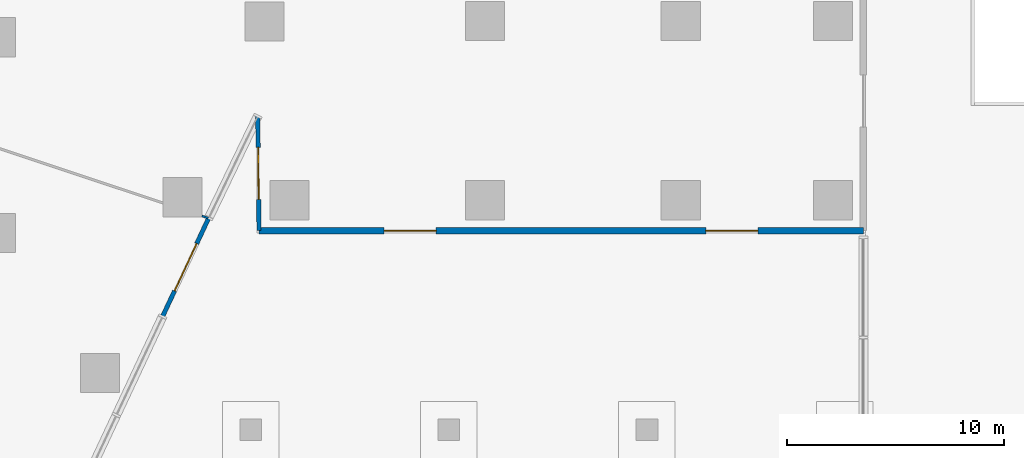
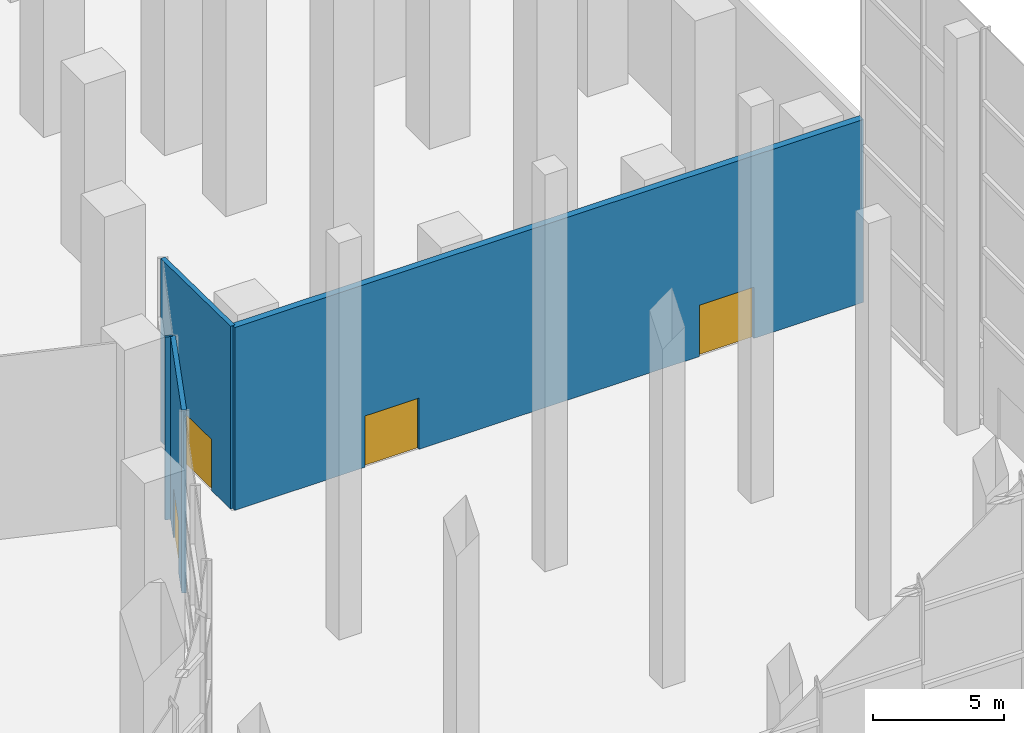
# One storey, part 31 of 40: 4 doors, 4 walls, 4 openings.
"""IFC4 building model written with IfcOpenShell, lengths in metres."""

from ifc_helpers import new_model, si_unit, direction, frame, frame_2d, origin, place, context, subcontext, project, spatial, rectangle, extrude, material, layer, layer_set, type_object, element, fill, save


model = new_model("IFC4")

# Units and contexts
model_context = context("Model", 3, precision=1e-05, world=origin(), true_north=direction((0.0, 1.0)))
body_context = subcontext(model_context, "Body", "Model", "MODEL_VIEW")
ifc_project = project(units=[si_unit("LENGTHUNIT", "METRE"), si_unit("AREAUNIT", "SQUARE_METRE"), si_unit("VOLUMEUNIT", "CUBIC_METRE"), si_unit("PLANEANGLEUNIT", "RADIAN"), si_unit("MASSUNIT", "GRAM", prefix="KILO")], contexts=[model_context])

# Site, building, storey
site_placement = place(None, origin())
site = spatial("IfcSite", under=ifc_project, at=site_placement, CompositionType="ELEMENT")
building_placement = place(site_placement, origin())
building = spatial("IfcBuilding", under=site, at=building_placement, Name="Dongbaek Canopy Tower", CompositionType="ELEMENT")
storey_placement = place(building_placement, origin())
storey = spatial("IfcBuildingStorey", under=building, at=storey_placement, Name="L00", CompositionType="ELEMENT", Elevation=0.0)

# Wall, opening, door
ifc_material_1 = material(Name="Aluminium window wall", Category="aluminium")
ifc_layer_1 = layer(ifc_material_1, 0.199951171875)
ifc_layer_set_1 = layer_set([ifc_layer_1], Name="Entrance wall 200")
wall_type_1 = type_object("IfcWallType", Name="Entrance wall 200", PredefinedType="SOLIDWALL", material=ifc_layer_set_1)
wall_1_placement = place(storey_placement, frame((27.785888671875, -17.316162109375, 0.0), z_axis=(0.0, 0.0, 1.0), x_axis=(-0.424089032009, -0.905620501606, 0.0)))
wall_1 = element("IfcWall", 1, at=wall_1_placement, inside=storey, type_object=wall_type_1, Name="Entrance wall L00 F0 3", PredefinedType="SOLIDWALL", context=body_context, shape_type="SweptSolid", body=[
    extrude(rectangle(XDim=5.006591796875, YDim=0.199951171875, at=frame_2d((2.50341796875, 0.0))), origin(), (0.0, 0.0, 1.0), 8.550048828125),
])
opening_1_placement = place(wall_1_placement, frame((1.30322265625, 0.0, 0.0)))
opening_1 = element("IfcOpeningElement", 2, at=opening_1_placement, cuts=wall_1, Name="Opening L00-E01", PredefinedType="OPENING", context=body_context, shape_type="SweptSolid", body=[
    extrude(rectangle(XDim=2.39990234375, YDim=2.39990234375, at=frame_2d((1.199951171875, 1.199951171875))), frame((0.0, 0.10986328125, 0.0), z_axis=(0.0, -1.0, 0.0), x_axis=(1.0, 0.0, 0.0)), (0.0, 0.0, 1.0), 0.219970703125),
])
ifc_material_2 = material(Name="Clear glazing in aluminium frame", Category="aluminium")
door_type = type_object("IfcDoorType", Name="Entrance door ED1 2400 x 2400", OperationType="DOUBLE_DOOR_SINGLE_SWING", PredefinedType="DOOR", material=ifc_material_2)
door_1_placement = place(opening_1_placement, origin())
door_1 = element("IfcDoor", 3, at=door_1_placement, inside=storey, type_object=door_type, Name="Exterior door L00-E01", OperationType="SINGLE_SWING_LEFT", OverallHeight=2.39990234375, OverallWidth=2.39990234375, PredefinedType="DOOR", context=body_context, shape_type="SweptSolid", body=[
    extrude(rectangle(XDim=2.39990234375, YDim=2.39990234375, at=frame_2d((1.199951171875, 1.199951171875))), frame((0.0, 0.02490234375, 0.0), z_axis=(0.0, -1.0, 0.0), x_axis=(1.0, 0.0, 0.0)), (0.0, 0.0, 1.0), 0.050048828125),
])
fill(opening_1, door_1)

wall_2_placement = place(storey_placement, frame((30.10009765625, -17.89990234375, 0.0), z_axis=(0.0, 0.0, 1.0), x_axis=(-0.010746090611, 0.999942259101, 0.0)))
wall_2 = element("IfcWall", 4, at=wall_2_placement, inside=storey, type_object=wall_type_1, Name="Entrance wall L00 F1 1", PredefinedType="SOLIDWALL", context=body_context, shape_type="SweptSolid", body=[
    extrude(rectangle(XDim=5.270751953125, YDim=0.199951171875, at=frame_2d((2.63525390625, 0.0))), origin(), (0.0, 0.0, 1.0), 8.550048828125),
])
opening_2_placement = place(wall_2_placement, frame((1.435546875, 0.0, 0.0)))
opening_2 = element("IfcOpeningElement", 5, at=opening_2_placement, cuts=wall_2, Name="Opening L00-E02", PredefinedType="OPENING", context=body_context, shape_type="SweptSolid", body=[
    extrude(rectangle(XDim=2.39990234375, YDim=2.39990234375, at=frame_2d((1.199951171875, 1.199951171875))), frame((0.0, 0.10986328125, 0.0), z_axis=(0.0, -1.0, 0.0), x_axis=(1.0, 0.0, 0.0)), (0.0, 0.0, 1.0), 0.219970703125),
])
door_2_placement = place(opening_2_placement, origin())
door_2 = element("IfcDoor", 6, at=door_2_placement, inside=storey, type_object=door_type, Name="Exterior door L00-E02", OperationType="SINGLE_SWING_LEFT", OverallHeight=2.39990234375, OverallWidth=2.39990234375, PredefinedType="DOOR", context=body_context, shape_type="SweptSolid", body=[
    extrude(rectangle(XDim=2.39990234375, YDim=2.39990234375, at=frame_2d((1.199951171875, 1.199951171875))), frame((0.0, 0.02490234375, 0.0), z_axis=(0.0, -1.0, 0.0), x_axis=(1.0, 0.0, 0.0)), (0.0, 0.0, 1.0), 0.050048828125),
])
fill(opening_2, door_2)

# Wall, openings, doors
ifc_material_3 = material(Name="Precast concrete C40/50 with pale metal cladding", Category="concrete")
ifc_layer_2 = layer(ifc_material_3, 0.300048828125)
ifc_layer_set_2 = layer_set([ifc_layer_2], Name="Hall wall 300")
wall_type_2 = type_object("IfcWallType", Name="Hall wall 300", PredefinedType="SOLIDWALL", material=ifc_layer_set_2)
wall_3_placement = place(storey_placement, frame((57.89990234375, -17.89990234375, 0.0), z_axis=(0.0, 0.0, 1.0), x_axis=(-1.0, 0.0, 0.0)))
wall_3 = element("IfcWall", 7, at=wall_3_placement, inside=storey, type_object=wall_type_2, Name="Hall wall L00 F2", PredefinedType="SOLIDWALL", context=body_context, shape_type="SweptSolid", body=[
    extrude(rectangle(XDim=27.7998046875, YDim=0.300048828125, at=frame_2d((13.89990234375, 0.0))), origin(), (0.0, 0.0, 1.0), 8.550048828125),
])
opening_3_placement = place(wall_3_placement, frame((19.64990234375, 0.0, 0.0)))
opening_3 = element("IfcOpeningElement", 8, at=opening_3_placement, cuts=wall_3, Name="Opening L00-X01", PredefinedType="OPENING", context=body_context, shape_type="SweptSolid", body=[
    extrude(rectangle(XDim=2.39990234375, YDim=2.39990234375, at=frame_2d((1.199951171875, 1.199951171875))), frame((0.0, 0.159912109375, 0.0), z_axis=(0.0, -1.0, 0.0), x_axis=(1.0, 0.0, 0.0)), (0.0, 0.0, 1.0), 0.320068359375),
])
opening_4_placement = place(wall_3_placement, frame((4.85009765625, 0.0, 0.0)))
opening_4 = element("IfcOpeningElement", 9, at=opening_4_placement, cuts=wall_3, Name="Opening L00-X02", PredefinedType="OPENING", context=body_context, shape_type="SweptSolid", body=[
    extrude(rectangle(XDim=2.39990234375, YDim=2.39990234375, at=frame_2d((1.199951171875, 1.199951171875))), frame((0.0, 0.159912109375, 0.0), z_axis=(0.0, -1.0, 0.0), x_axis=(1.0, 0.0, 0.0)), (0.0, 0.0, 1.0), 0.320068359375),
])
door_3_placement = place(opening_3_placement, origin())
door_3 = element("IfcDoor", 10, at=door_3_placement, inside=storey, type_object=door_type, Name="Exterior door L00-X01", OperationType="SINGLE_SWING_LEFT", OverallHeight=2.39990234375, OverallWidth=2.39990234375, PredefinedType="DOOR", context=body_context, shape_type="SweptSolid", body=[
    extrude(rectangle(XDim=2.39990234375, YDim=2.39990234375, at=frame_2d((1.199951171875, 1.199951171875))), frame((0.0, 0.02490234375, 0.0), z_axis=(0.0, -1.0, 0.0), x_axis=(1.0, 0.0, 0.0)), (0.0, 0.0, 1.0), 0.050048828125),
])
fill(opening_3, door_3)
door_4_placement = place(opening_4_placement, origin())
door_4 = element("IfcDoor", 11, at=door_4_placement, inside=storey, type_object=door_type, Name="Exterior door L00-X02", OperationType="SINGLE_SWING_LEFT", OverallHeight=2.39990234375, OverallWidth=2.39990234375, PredefinedType="DOOR", context=body_context, shape_type="SweptSolid", body=[
    extrude(rectangle(XDim=2.39990234375, YDim=2.39990234375, at=frame_2d((1.199951171875, 1.199951171875))), frame((0.0, 0.02490234375, 0.0), z_axis=(0.0, -1.0, 0.0), x_axis=(1.0, 0.0, 0.0)), (0.0, 0.0, 1.0), 0.050048828125),
])
fill(opening_4, door_4)

# Wall
ifc_material_4 = material(Name="Gypsum board partition, steel stud, 2 x 12.5 mm board", Category="steel")
ifc_layer_3 = layer(ifc_material_4, 0.10009765625)
ifc_layer_set_3 = layer_set([ifc_layer_3], Name="Partition 100 gypsum board")
wall_type_3 = type_object("IfcWallType", Name="Partition 100 gypsum board", PredefinedType="PARTITIONING", material=ifc_layer_set_3)
wall_4_placement = place(storey_placement, frame((27.47607421875, -17.223876953125, 0.0), z_axis=(0.0, 0.0, 1.0), x_axis=(0.948845092647, -0.31574196769, 0.0)))
element("IfcWall", 12, at=wall_4_placement, inside=storey, type_object=wall_type_3, Name="Partition", PredefinedType="PARTITIONING", context=body_context, shape_type="SweptSolid", body=[
    extrude(rectangle(XDim=0.301513671875, YDim=0.10009765625, at=frame_2d((0.15087890625, 0.0))), origin(), (0.0, 0.0, 1.0), 8.550048828125),
])

save(model, "model.ifc")
